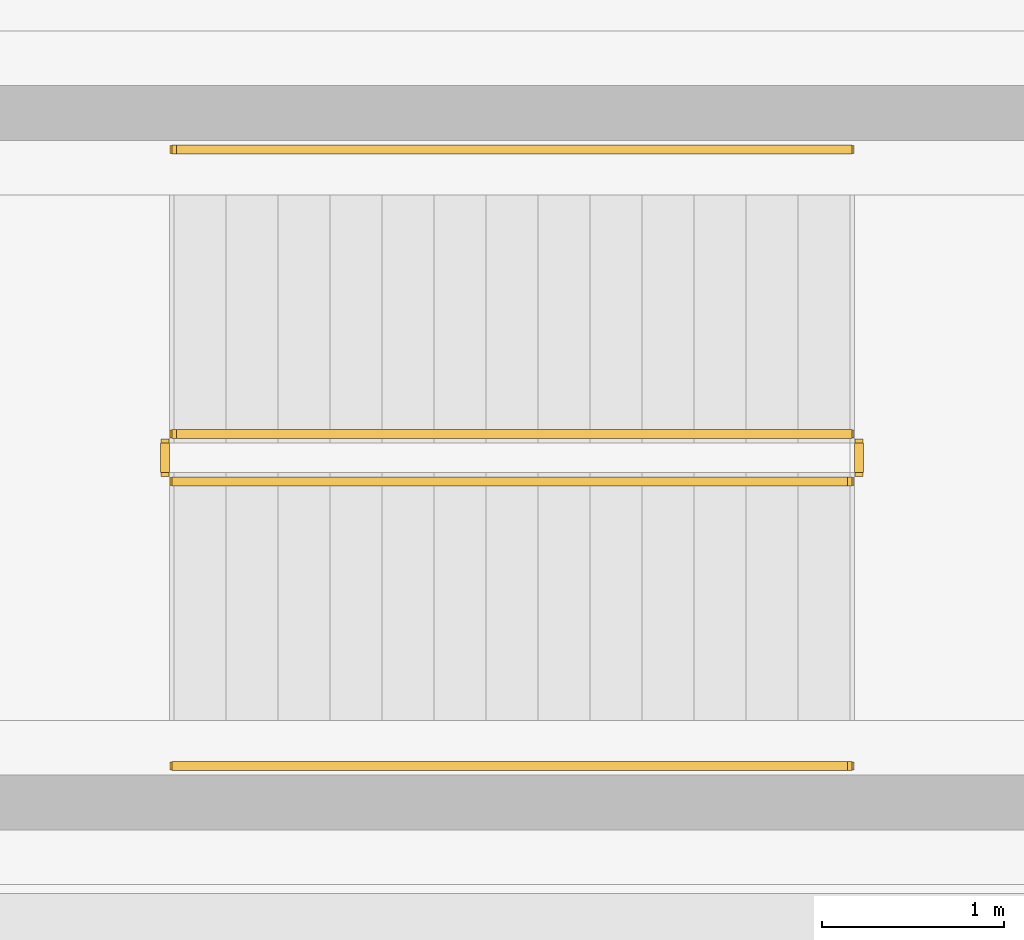
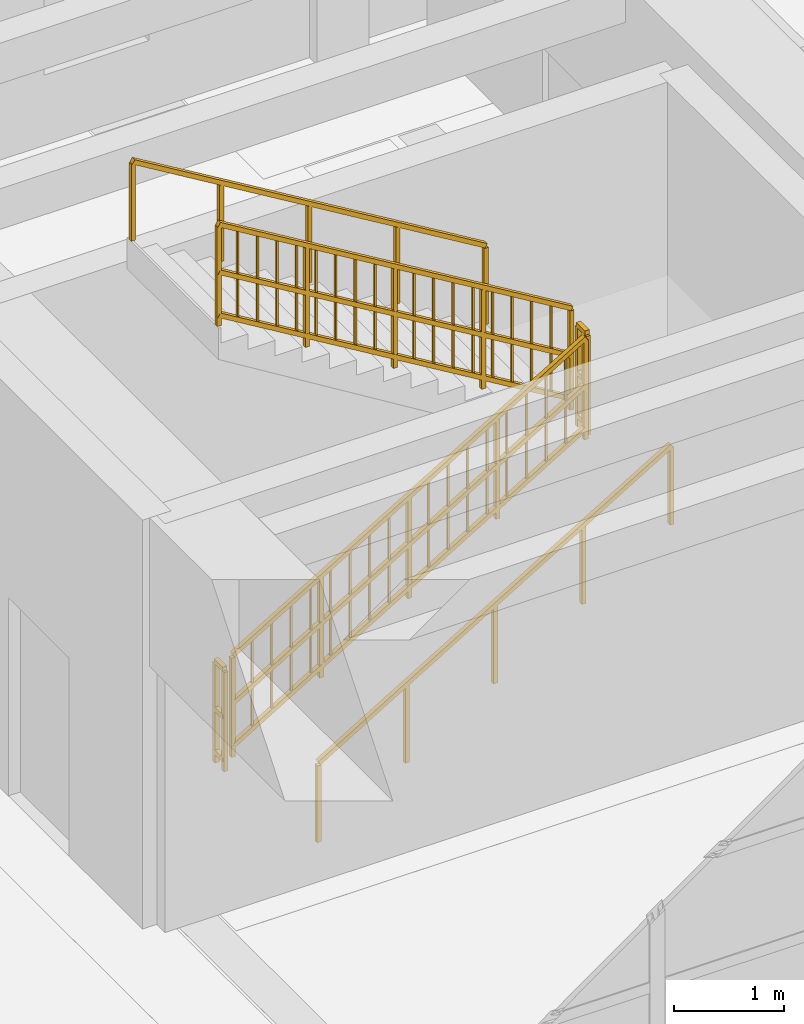
# One storey, part 61 of 68: 6 railings.
"""IFC4 building model written with IfcOpenShell, lengths in metres."""

from ifc_helpers import new_model, si_unit, direction, frame, origin, origin_2d, place, context, subcontext, project, spatial, rectangle, extrude, material, layer, layer_set, type_object, element, save


model = new_model("IFC4")

# Units and contexts
model_context = context("Model", 3, precision=1e-05, world=origin(), true_north=direction((0.0, 1.0)))
body_context = subcontext(model_context, "Body", "Model", "MODEL_VIEW")
ifc_project = project(units=[si_unit("LENGTHUNIT", "METRE"), si_unit("AREAUNIT", "SQUARE_METRE"), si_unit("VOLUMEUNIT", "CUBIC_METRE"), si_unit("PLANEANGLEUNIT", "RADIAN"), si_unit("MASSUNIT", "GRAM", prefix="KILO")], contexts=[model_context])

# Site, building, storey
site_placement = place(None, origin())
site = spatial("IfcSite", under=ifc_project, at=site_placement, CompositionType="ELEMENT")
building_placement = place(site_placement, origin())
building = spatial("IfcBuilding", under=site, at=building_placement, Name="Serraluz Foothill Cableway Terminal", CompositionType="ELEMENT")
storey_placement = place(building_placement, origin())
storey = spatial("IfcBuildingStorey", under=building, at=storey_placement, Name="L00", CompositionType="ELEMENT", Elevation=0.0)

# Railings
ifc_material_1 = material(Name="Steel ASTM A572 Grade 50", Category="steel")
ifc_layer_1 = layer(ifc_material_1, 0.054931640625, Name="Steel ASTM A572 Grade 50", Category="steel")
ifc_layer_set_1 = layer_set([ifc_layer_1], Name="Steel ASTM A572 Grade 50")
railing_type_1 = type_object("IfcRailingType", Name="TYP-RL-GRD-1150", PredefinedType="GUARDRAIL", material=ifc_layer_set_1)
railing_1_placement = place(storey_placement, frame((113.4599609375, 6.409912109375, 0.17138671875)))
element("IfcRailing", 1, at=railing_1_placement, inside=storey, type_object=railing_type_1, Name="L00 ST-07 stair guard 1", PredefinedType="GUARDRAIL", context=body_context, shape_type="SweptSolid", body=[
    extrude(rectangle(XDim=0.048095703125, YDim=0.048095703125, at=origin_2d()), frame((0.0, 0.0, 1.1259765625), z_axis=(0.856934400257, 0.0, 0.515425487977), x_axis=(0.0, 1.0, 0.0)), (0.0, 0.0, 1.0), 4.32373046875),
    extrude(rectangle(XDim=0.048095703125, YDim=0.048095703125, at=origin_2d()), frame((0.0, 0.0, 0.597900390625), z_axis=(0.856934400257, 0.0, 0.515425487977), x_axis=(0.0, 1.0, 0.0)), (0.0, 0.0, 1.0), 4.32373046875),
    extrude(rectangle(XDim=0.048095703125, YDim=0.048095703125, at=origin_2d()), frame((0.0, 0.0, 0.1201171875), z_axis=(0.856934400257, 0.0, 0.515425487977), x_axis=(0.0, 1.0, 0.0)), (0.0, 0.0, 1.0), 4.32373046875),
    extrude(rectangle(XDim=0.02001953125, YDim=0.02001953125, at=origin_2d()), frame((0.205810546875, 0.0, 0.243896484375)), (0.0, 0.0, 1.0), 0.981689453125),
    extrude(rectangle(XDim=0.02001953125, YDim=0.02001953125, at=origin_2d()), frame((0.41162109375, 0.0, 0.36767578125)), (0.0, 0.0, 1.0), 0.981689453125),
    extrude(rectangle(XDim=0.02001953125, YDim=0.02001953125, at=origin_2d()), frame((0.617431640625, 0.0, 0.491455078125)), (0.0, 0.0, 1.0), 0.981689453125),
    extrude(rectangle(XDim=0.02001953125, YDim=0.02001953125, at=origin_2d()), frame((0.8232421875, 0.0, 0.615234375)), (0.0, 0.0, 1.0), 0.981689453125),
    extrude(rectangle(XDim=0.02001953125, YDim=0.02001953125, at=origin_2d()), frame((1.029296875, 0.0, 0.739013671875)), (0.0, 0.0, 1.0), 0.981689453125),
    extrude(rectangle(XDim=0.02001953125, YDim=0.02001953125, at=origin_2d()), frame((1.235107421875, 0.0, 0.86279296875)), (0.0, 0.0, 1.0), 0.981689453125),
    extrude(rectangle(XDim=0.02001953125, YDim=0.02001953125, at=origin_2d()), frame((1.44091796875, 0.0, 0.986572265625)), (0.0, 0.0, 1.0), 0.981689453125),
    extrude(rectangle(XDim=0.02001953125, YDim=0.02001953125, at=origin_2d()), frame((1.646728515625, 0.0, 1.1103515625)), (0.0, 0.0, 1.0), 0.981689453125),
    extrude(rectangle(XDim=0.02001953125, YDim=0.02001953125, at=origin_2d()), frame((2.058349609375, 0.0, 1.358154296875)), (0.0, 0.0, 1.0), 0.981689453125),
    extrude(rectangle(XDim=0.02001953125, YDim=0.02001953125, at=origin_2d()), frame((2.26416015625, 0.0, 1.48193359375)), (0.0, 0.0, 1.0), 0.981689453125),
    extrude(rectangle(XDim=0.02001953125, YDim=0.02001953125, at=origin_2d()), frame((2.469970703125, 0.0, 1.605712890625)), (0.0, 0.0, 1.0), 0.981689453125),
    extrude(rectangle(XDim=0.02001953125, YDim=0.02001953125, at=origin_2d()), frame((2.67578125, 0.0, 1.7294921875)), (0.0, 0.0, 1.0), 0.981689453125),
    extrude(rectangle(XDim=0.02001953125, YDim=0.02001953125, at=origin_2d()), frame((2.8818359375, 0.0, 1.853271484375)), (0.0, 0.0, 1.0), 0.981689453125),
    extrude(rectangle(XDim=0.02001953125, YDim=0.02001953125, at=origin_2d()), frame((3.087646484375, 0.0, 1.97705078125)), (0.0, 0.0, 1.0), 0.981689453125),
    extrude(rectangle(XDim=0.02001953125, YDim=0.02001953125, at=origin_2d()), frame((3.29345703125, 0.0, 2.100830078125)), (0.0, 0.0, 1.0), 0.981689453125),
    extrude(rectangle(XDim=0.02001953125, YDim=0.02001953125, at=origin_2d()), frame((3.499267578125, 0.0, 2.224609375)), (0.0, 0.0, 1.0), 0.981689453125),
    extrude(rectangle(XDim=0.0439453125, YDim=0.0439453125, at=origin_2d()), origin(), (0.0, 0.0, 1.0), 1.101806640625),
    extrude(rectangle(XDim=0.0439453125, YDim=0.0439453125, at=origin_2d()), frame((0.92626953125, 0.0, 0.55712890625)), (0.0, 0.0, 1.0), 1.101806640625),
    extrude(rectangle(XDim=0.0439453125, YDim=0.0439453125, at=origin_2d()), frame((1.8525390625, 0.0, 1.1142578125)), (0.0, 0.0, 1.0), 1.101806640625),
    extrude(rectangle(XDim=0.0439453125, YDim=0.0439453125, at=origin_2d()), frame((2.77880859375, 0.0, 1.67138671875)), (0.0, 0.0, 1.0), 1.101806640625),
    extrude(rectangle(XDim=0.0439453125, YDim=0.0439453125, at=origin_2d()), frame((3.705078125, 0.0, 2.228515625)), (0.0, 0.0, 1.0), 1.101806640625),
])
railing_2_placement = place(storey_placement, frame((117.215087890625, 6.4599609375, 2.39990234375)))
element("IfcRailing", 2, at=railing_2_placement, inside=storey, type_object=railing_type_1, Name="L00 ST-07 stair guard 2", PredefinedType="GUARDRAIL", context=body_context, shape_type="SweptSolid", body=[
    extrude(rectangle(XDim=0.048095703125, YDim=0.048095703125, at=origin_2d()), frame((0.0, 0.0, 1.1259765625), z_axis=(0.0, 1.0, 0.0), x_axis=(-1.0, 0.0, 0.0)), (0.0, 0.0, 1.0), 0.16015625),
    extrude(rectangle(XDim=0.048095703125, YDim=0.048095703125, at=origin_2d()), frame((0.0, 0.0, 0.597900390625), z_axis=(0.0, 1.0, 0.0), x_axis=(-1.0, 0.0, 0.0)), (0.0, 0.0, 1.0), 0.16015625),
    extrude(rectangle(XDim=0.048095703125, YDim=0.048095703125, at=origin_2d()), frame((0.0, 0.0, 0.1201171875), z_axis=(0.0, 1.0, 0.0), x_axis=(-1.0, 0.0, 0.0)), (0.0, 0.0, 1.0), 0.16015625),
    extrude(rectangle(XDim=0.0439453125, YDim=0.0439453125, at=origin_2d()), origin(), (0.0, 0.0, 1.0), 1.101806640625),
    extrude(rectangle(XDim=0.0439453125, YDim=0.0439453125, at=origin_2d()), frame((0.0, 0.16015625, 0.0)), (0.0, 0.0, 1.0), 1.101806640625),
])
railing_3_placement = place(storey_placement, frame((117.1650390625, 6.669921875, 2.571533203125)))
element("IfcRailing", 3, at=railing_3_placement, inside=storey, type_object=railing_type_1, Name="L00 ST-07 stair guard 3", PredefinedType="GUARDRAIL", context=body_context, shape_type="SweptSolid", body=[
    extrude(rectangle(XDim=0.048095703125, YDim=0.048095703125, at=origin_2d()), frame((0.0, 0.0, 1.1259765625), z_axis=(-0.856934400257, 0.0, 0.515425487977), x_axis=(0.0, -1.0, 0.0)), (0.0, 0.0, 1.0), 4.32373046875),
    extrude(rectangle(XDim=0.048095703125, YDim=0.048095703125, at=origin_2d()), frame((0.0, 0.0, 0.597900390625), z_axis=(-0.856934400257, 0.0, 0.515425487977), x_axis=(0.0, -1.0, 0.0)), (0.0, 0.0, 1.0), 4.32373046875),
    extrude(rectangle(XDim=0.048095703125, YDim=0.048095703125, at=origin_2d()), frame((0.0, 0.0, 0.1201171875), z_axis=(-0.856934400257, 0.0, 0.515425487977), x_axis=(0.0, -1.0, 0.0)), (0.0, 0.0, 1.0), 4.32373046875),
    extrude(rectangle(XDim=0.02001953125, YDim=0.02001953125, at=origin_2d()), frame((-0.205810546875, 0.0, 0.243896484375)), (0.0, 0.0, 1.0), 0.981689453125),
    extrude(rectangle(XDim=0.02001953125, YDim=0.02001953125, at=origin_2d()), frame((-0.41162109375, 0.0, 0.36767578125)), (0.0, 0.0, 1.0), 0.981689453125),
    extrude(rectangle(XDim=0.02001953125, YDim=0.02001953125, at=origin_2d()), frame((-0.617431640625, 0.0, 0.491455078125)), (0.0, 0.0, 1.0), 0.981689453125),
    extrude(rectangle(XDim=0.02001953125, YDim=0.02001953125, at=origin_2d()), frame((-0.8232421875, 0.0, 0.615234375)), (0.0, 0.0, 1.0), 0.981689453125),
    extrude(rectangle(XDim=0.02001953125, YDim=0.02001953125, at=origin_2d()), frame((-1.029296875, 0.0, 0.739013671875)), (0.0, 0.0, 1.0), 0.981689453125),
    extrude(rectangle(XDim=0.02001953125, YDim=0.02001953125, at=origin_2d()), frame((-1.235107421875, 0.0, 0.86279296875)), (0.0, 0.0, 1.0), 0.981689453125),
    extrude(rectangle(XDim=0.02001953125, YDim=0.02001953125, at=origin_2d()), frame((-1.44091796875, 0.0, 0.986572265625)), (0.0, 0.0, 1.0), 0.981689453125),
    extrude(rectangle(XDim=0.02001953125, YDim=0.02001953125, at=origin_2d()), frame((-1.646728515625, 0.0, 1.1103515625)), (0.0, 0.0, 1.0), 0.981689453125),
    extrude(rectangle(XDim=0.02001953125, YDim=0.02001953125, at=origin_2d()), frame((-2.058349609375, 0.0, 1.358154296875)), (0.0, 0.0, 1.0), 0.981689453125),
    extrude(rectangle(XDim=0.02001953125, YDim=0.02001953125, at=origin_2d()), frame((-2.26416015625, 0.0, 1.48193359375)), (0.0, 0.0, 1.0), 0.981689453125),
    extrude(rectangle(XDim=0.02001953125, YDim=0.02001953125, at=origin_2d()), frame((-2.469970703125, 0.0, 1.605712890625)), (0.0, 0.0, 1.0), 0.981689453125),
    extrude(rectangle(XDim=0.02001953125, YDim=0.02001953125, at=origin_2d()), frame((-2.67578125, 0.0, 1.7294921875)), (0.0, 0.0, 1.0), 0.981689453125),
    extrude(rectangle(XDim=0.02001953125, YDim=0.02001953125, at=origin_2d()), frame((-2.8818359375, 0.0, 1.853271484375)), (0.0, 0.0, 1.0), 0.981689453125),
    extrude(rectangle(XDim=0.02001953125, YDim=0.02001953125, at=origin_2d()), frame((-3.087646484375, 0.0, 1.97705078125)), (0.0, 0.0, 1.0), 0.981689453125),
    extrude(rectangle(XDim=0.02001953125, YDim=0.02001953125, at=origin_2d()), frame((-3.29345703125, 0.0, 2.100830078125)), (0.0, 0.0, 1.0), 0.981689453125),
    extrude(rectangle(XDim=0.02001953125, YDim=0.02001953125, at=origin_2d()), frame((-3.499267578125, 0.0, 2.224609375)), (0.0, 0.0, 1.0), 0.981689453125),
    extrude(rectangle(XDim=0.0439453125, YDim=0.0439453125, at=origin_2d()), origin(), (0.0, 0.0, 1.0), 1.101806640625),
    extrude(rectangle(XDim=0.0439453125, YDim=0.0439453125, at=origin_2d()), frame((-0.92626953125, 0.0, 0.55712890625)), (0.0, 0.0, 1.0), 1.101806640625),
    extrude(rectangle(XDim=0.0439453125, YDim=0.0439453125, at=origin_2d()), frame((-1.8525390625, 0.0, 1.1142578125)), (0.0, 0.0, 1.0), 1.101806640625),
    extrude(rectangle(XDim=0.0439453125, YDim=0.0439453125, at=origin_2d()), frame((-2.77880859375, 0.0, 1.67138671875)), (0.0, 0.0, 1.0), 1.101806640625),
    extrude(rectangle(XDim=0.0439453125, YDim=0.0439453125, at=origin_2d()), frame((-3.705078125, 0.0, 2.228515625)), (0.0, 0.0, 1.0), 1.101806640625),
])
railing_4_placement = place(storey_placement, frame((113.409912109375, 6.4599609375, 0.0)))
element("IfcRailing", 4, at=railing_4_placement, inside=storey, type_object=railing_type_1, Name="L00 ST-07 stair guard 4", PredefinedType="GUARDRAIL", context=body_context, shape_type="SweptSolid", body=[
    extrude(rectangle(XDim=0.048095703125, YDim=0.048095703125, at=origin_2d()), frame((0.0, 0.0, 1.1259765625), z_axis=(0.0, 1.0, 0.0), x_axis=(-1.0, 0.0, 0.0)), (0.0, 0.0, 1.0), 0.16015625),
    extrude(rectangle(XDim=0.048095703125, YDim=0.048095703125, at=origin_2d()), frame((0.0, 0.0, 0.597900390625), z_axis=(0.0, 1.0, 0.0), x_axis=(-1.0, 0.0, 0.0)), (0.0, 0.0, 1.0), 0.16015625),
    extrude(rectangle(XDim=0.048095703125, YDim=0.048095703125, at=origin_2d()), frame((0.0, 0.0, 0.1201171875), z_axis=(0.0, 1.0, 0.0), x_axis=(-1.0, 0.0, 0.0)), (0.0, 0.0, 1.0), 0.16015625),
    extrude(rectangle(XDim=0.0439453125, YDim=0.0439453125, at=origin_2d()), origin(), (0.0, 0.0, 1.0), 1.101806640625),
    extrude(rectangle(XDim=0.0439453125, YDim=0.0439453125, at=origin_2d()), frame((0.0, 0.16015625, 0.0)), (0.0, 0.0, 1.0), 1.101806640625),
])
ifc_material_2 = material(Name="Architectural bronze alloy C28000", Category="aluminium")
ifc_layer_2 = layer(ifc_material_2, 0.048095703125, Name="Architectural bronze alloy C28000", Category="aluminium")
ifc_layer_set_2 = layer_set([ifc_layer_2], Name="Architectural bronze alloy C28000")
railing_type_2 = type_object("IfcRailingType", Name="TYP-RL-HND-920", PredefinedType="HANDRAIL", material=ifc_layer_set_2)
railing_5_placement = place(storey_placement, frame((113.4599609375, 4.85009765625, 0.17138671875)))
element("IfcRailing", 5, at=railing_5_placement, inside=storey, type_object=railing_type_2, Name="L00 ST-07 stair handrail 1", PredefinedType="HANDRAIL", context=body_context, shape_type="SweptSolid", body=[
    extrude(rectangle(XDim=0.048095703125, YDim=0.048095703125, at=origin_2d()), frame((0.0, 0.0, 0.8759765625), z_axis=(0.856934400257, 0.0, 0.515425487977), x_axis=(0.0, 1.0, 0.0)), (0.0, 0.0, 1.0), 4.32373046875),
    extrude(rectangle(XDim=0.0439453125, YDim=0.0439453125, at=origin_2d()), origin(), (0.0, 0.0, 1.0), 0.851806640625),
    extrude(rectangle(XDim=0.0439453125, YDim=0.0439453125, at=origin_2d()), frame((0.92626953125, 0.0, 0.55712890625)), (0.0, 0.0, 1.0), 0.851806640625),
    extrude(rectangle(XDim=0.0439453125, YDim=0.0439453125, at=origin_2d()), frame((1.8525390625, 0.0, 1.1142578125)), (0.0, 0.0, 1.0), 0.851806640625),
    extrude(rectangle(XDim=0.0439453125, YDim=0.0439453125, at=origin_2d()), frame((2.77880859375, 0.0, 1.67138671875)), (0.0, 0.0, 1.0), 0.851806640625),
    extrude(rectangle(XDim=0.0439453125, YDim=0.0439453125, at=origin_2d()), frame((3.705078125, 0.0, 2.228515625)), (0.0, 0.0, 1.0), 0.851806640625),
])
railing_6_placement = place(storey_placement, frame((117.1650390625, 8.22998046875, 2.571533203125)))
element("IfcRailing", 6, at=railing_6_placement, inside=storey, type_object=railing_type_2, Name="L00 ST-07 stair handrail 2", PredefinedType="HANDRAIL", context=body_context, shape_type="SweptSolid", body=[
    extrude(rectangle(XDim=0.048095703125, YDim=0.048095703125, at=origin_2d()), frame((0.0, 0.0, 0.8759765625), z_axis=(-0.856934400257, 0.0, 0.515425487977), x_axis=(0.0, -1.0, 0.0)), (0.0, 0.0, 1.0), 4.32373046875),
    extrude(rectangle(XDim=0.0439453125, YDim=0.0439453125, at=origin_2d()), origin(), (0.0, 0.0, 1.0), 0.851806640625),
    extrude(rectangle(XDim=0.0439453125, YDim=0.0439453125, at=origin_2d()), frame((-0.92626953125, 0.0, 0.55712890625)), (0.0, 0.0, 1.0), 0.851806640625),
    extrude(rectangle(XDim=0.0439453125, YDim=0.0439453125, at=origin_2d()), frame((-1.8525390625, 0.0, 1.1142578125)), (0.0, 0.0, 1.0), 0.851806640625),
    extrude(rectangle(XDim=0.0439453125, YDim=0.0439453125, at=origin_2d()), frame((-2.77880859375, 0.0, 1.67138671875)), (0.0, 0.0, 1.0), 0.851806640625),
    extrude(rectangle(XDim=0.0439453125, YDim=0.0439453125, at=origin_2d()), frame((-3.705078125, 0.0, 2.228515625)), (0.0, 0.0, 1.0), 0.851806640625),
])

save(model, "model.ifc")
